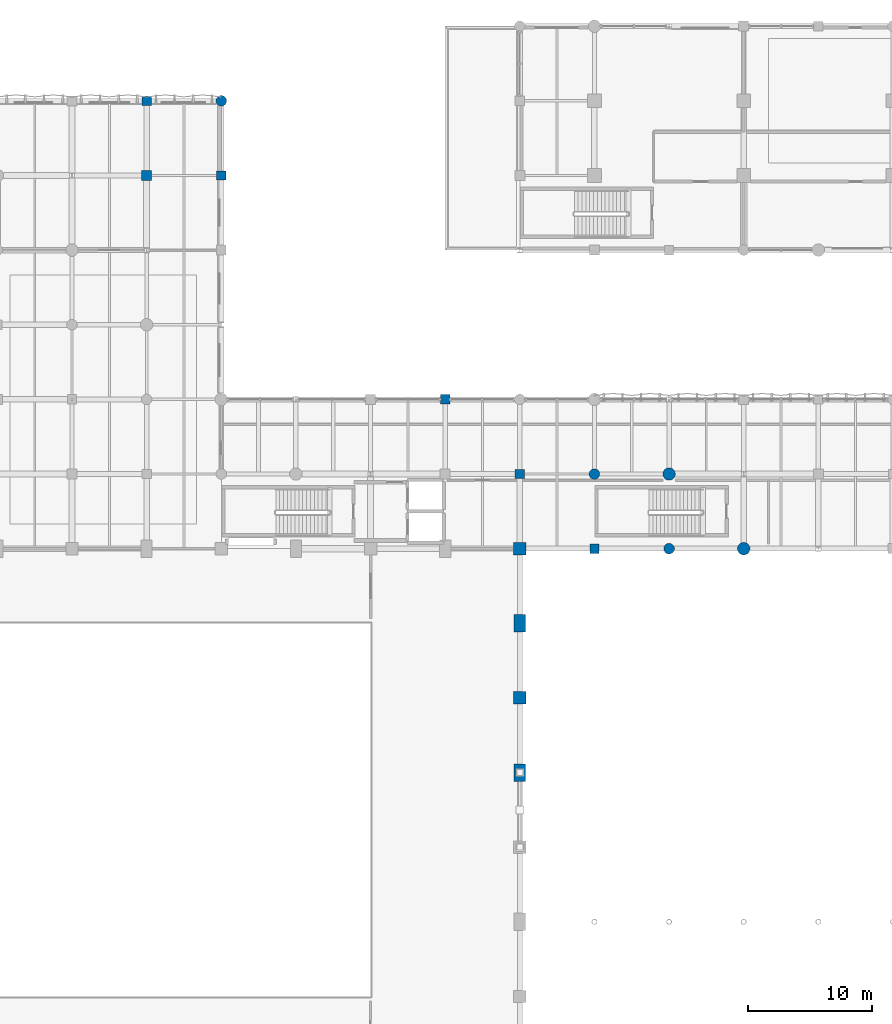
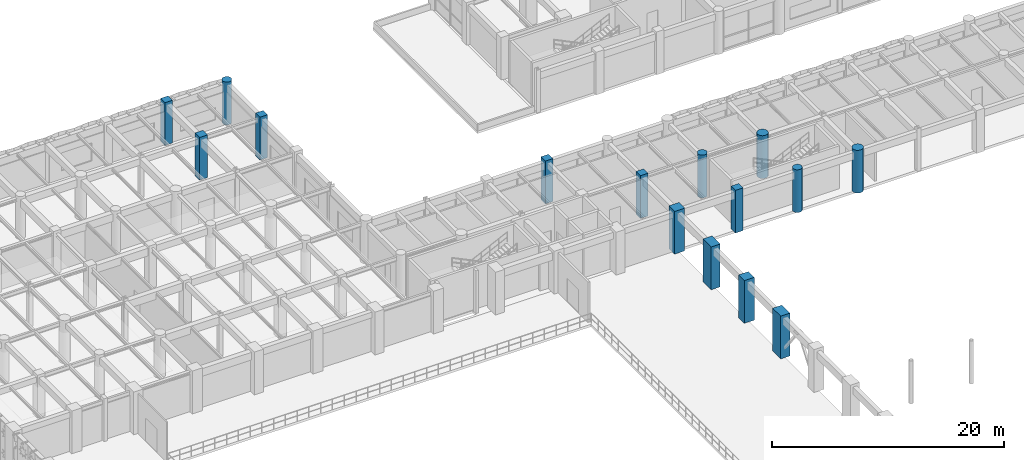
# One storey, part 10 of 133: 15 columns.
"""IFC4 building model written with IfcOpenShell, lengths in metres."""

from ifc_helpers import new_model, si_unit, direction, frame, origin, origin_2d, place, context, subcontext, project, spatial, rectangle, circle, extrude, material, material_profile, profile_set, type_object, element, save


model = new_model("IFC4")

# Units and contexts
model_context = context("Model", 3, precision=1e-05, world=origin(), true_north=direction((0.0, 1.0)))
body_context = subcontext(model_context, "Body", "Model", "MODEL_VIEW")
ifc_project = project(units=[si_unit("LENGTHUNIT", "METRE"), si_unit("AREAUNIT", "SQUARE_METRE"), si_unit("VOLUMEUNIT", "CUBIC_METRE"), si_unit("PLANEANGLEUNIT", "RADIAN"), si_unit("MASSUNIT", "GRAM", prefix="KILO"), si_unit("THERMODYNAMICTEMPERATUREUNIT", "KELVIN"), si_unit("POWERUNIT", "WATT")], contexts=[model_context])

# Site, building, storey
site_placement = place(None, origin())
site = spatial("IfcSite", under=ifc_project, at=site_placement, CompositionType="ELEMENT")
building_placement = place(site_placement, origin())
building = spatial("IfcBuilding", under=site, at=building_placement, Name="Phaisarnlok Congress Hotel", CompositionType="ELEMENT")
storey_placement = place(building_placement, frame((0.0, 0.0, 6.0)))
storey = spatial("IfcBuildingStorey", under=building, at=storey_placement, Name="L01", CompositionType="ELEMENT", Elevation=6.0)

# Columns
ifc_material = material(Name="Concrete C50/60", Category="concrete")
ifc_material_profile_1 = material_profile(ifc_material, rectangle(XDim=1.0, YDim=1.0, at=origin_2d()), Name="RC 1000x1000")
ifc_profile_set_1 = profile_set([ifc_material_profile_1], Name="Concrete C50/60")
column_type_1 = type_object("IfcColumnType", Name="COL-RC-1000", PredefinedType="COLUMN", material=ifc_profile_set_1)
for number, where, z_axis, x_axis, name in (
    (1, (66.0, 72.0, 0.0), (0.0, 0.0, 1.0), (1.0, 0.0, 0.0), "Column C-09 (L01)"),
    (2, (66.0, 84.0, 0.0), (0.0, 0.0, 1.0), (1.0, 0.0, 0.0), "Column C-09 (L01)"),
):
    element("IfcColumn", number, at=place(storey_placement, frame(where, z_axis=z_axis, x_axis=x_axis)), inside=storey, type_object=column_type_1, Name=name, PredefinedType="COLUMN", context=body_context, shape_type="SweptSolid", body=[
        extrude(rectangle(XDim=1.0, YDim=1.0, at=origin_2d()), origin(), (0.0, 0.0, 1.0), 4.5),
    ])
ifc_material_profile_2 = material_profile(ifc_material, rectangle(XDim=0.75, YDim=0.75, at=origin_2d()), Name="RC 750x750")
ifc_profile_set_2 = profile_set([ifc_material_profile_2], Name="Concrete C50/60")
column_type_2 = type_object("IfcColumnType", Name="COL-RC-750", PredefinedType="COLUMN", material=ifc_profile_set_2)
for number, where, z_axis, x_axis, name in (
    (3, (36.0, 120.0, 0.0), (0.0, 0.0, 1.0), (1.0, 0.0, 0.0), "Column C-06 (L01)"),
    (4, (42.0, 114.0, 0.0), (0.0, 0.0, 1.0), (1.0, 0.0, 0.0), "Column C-06 (L01)"),
    (5, (60.0, 96.0, 0.0), (0.0, 0.0, 1.0), (1.0, 0.0, 0.0), "Column C-06 (L01)"),
    (6, (66.0, 90.0, 0.0), (0.0, 0.0, 1.0), (1.0, 0.0, 0.0), "Column C-06 (L01)"),
    (7, (72.0, 84.0, 0.0), (0.0, 0.0, 1.0), (1.0, 0.0, 0.0), "Column C-06 (L01)"),
):
    element("IfcColumn", number, at=place(storey_placement, frame(where, z_axis=z_axis, x_axis=x_axis)), inside=storey, type_object=column_type_2, Name=name, PredefinedType="COLUMN", context=body_context, shape_type="SweptSolid", body=[
        extrude(rectangle(XDim=0.75, YDim=0.75, at=origin_2d()), origin(), (0.0, 0.0, 1.0), 4.5),
    ])
ifc_material_profile_3 = material_profile(ifc_material, rectangle(XDim=0.800048828125, YDim=0.800048828125, at=origin_2d()), Name="RC 800x800")
ifc_profile_set_3 = profile_set([ifc_material_profile_3], Name="Concrete C50/60")
column_type_3 = type_object("IfcColumnType", Name="COL-RC-800", PredefinedType="COLUMN", material=ifc_profile_set_3)
column_placement = place(storey_placement, frame((36.0, 114.0, 0.0), z_axis=(0.0, 0.0, 1.0), x_axis=(1.0, 0.0, 0.0)))
element("IfcColumn", 8, at=column_placement, inside=storey, type_object=column_type_3, Name="Column C-07 (L01)", PredefinedType="COLUMN", context=body_context, shape_type="SweptSolid", body=[
    extrude(rectangle(XDim=0.800048828125, YDim=0.800048828125, at=origin_2d()), origin(), (0.0, 0.0, 1.0), 4.5),
])
ifc_material_profile_4 = material_profile(ifc_material, rectangle(XDim=0.89990234375, YDim=1.39990234375, at=origin_2d()), Name="RC 900x1400")
ifc_profile_set_4 = profile_set([ifc_material_profile_4], Name="Concrete C50/60")
column_type_4 = type_object("IfcColumnType", Name="COL-RC-900x1400", PredefinedType="COLUMN", material=ifc_profile_set_4)
for number, where, z_axis, x_axis, name in (
    (9, (66.0, 66.0, 0.0), (0.0, 0.0, 1.0), (1.0, 0.0, 0.0), "Column C-12 (L01)"),
    (10, (66.0, 78.0, 0.0), (0.0, 0.0, 1.0), (1.0, 0.0, 0.0), "Column C-12 (L01)"),
):
    element("IfcColumn", number, at=place(storey_placement, frame(where, z_axis=z_axis, x_axis=x_axis)), inside=storey, type_object=column_type_4, Name=name, PredefinedType="COLUMN", context=body_context, shape_type="SweptSolid", body=[
        extrude(rectangle(XDim=0.89990234375, YDim=1.39990234375, at=origin_2d()), origin(), (0.0, 0.0, 1.0), 4.5),
    ])
ifc_material_profile_5 = material_profile(ifc_material, circle(Radius=0.5, at=origin_2d()), Name="RCC D1000")
ifc_profile_set_5 = profile_set([ifc_material_profile_5], Name="Concrete C50/60")
column_type_5 = type_object("IfcColumnType", Name="COL-RCC-1000", PredefinedType="COLUMN", material=ifc_profile_set_5)
for number, where, z_axis, x_axis, name in (
    (11, (78.0, 90.0, 0.0), (0.0, 0.0, 1.0), (1.0, 0.0, 0.0), "Column C-15 (L01)"),
    (12, (84.0, 84.0, 0.0), (0.0, 0.0, 1.0), (1.0, 0.0, 0.0), "Column C-15 (L01)"),
):
    element("IfcColumn", number, at=place(storey_placement, frame(where, z_axis=z_axis, x_axis=x_axis)), inside=storey, type_object=column_type_5, Name=name, PredefinedType="COLUMN", context=body_context, shape_type="SweptSolid", body=[
        extrude(circle(Radius=0.5, at=origin_2d()), origin(), (0.0, 0.0, 1.0), 4.5),
    ])
ifc_material_profile_6 = material_profile(ifc_material, circle(Radius=0.425048828125, at=origin_2d()), Name="RCC D850")
ifc_profile_set_6 = profile_set([ifc_material_profile_6], Name="Concrete C50/60")
column_type_6 = type_object("IfcColumnType", Name="COL-RCC-850", PredefinedType="COLUMN", material=ifc_profile_set_6)
for number, where, z_axis, x_axis, name in (
    (13, (42.0, 120.0, 0.0), (0.0, 0.0, 1.0), (1.0, 0.0, 0.0), "Column C-14 (L01)"),
    (14, (72.0, 90.0, 0.0), (0.0, 0.0, 1.0), (1.0, 0.0, 0.0), "Column C-14 (L01)"),
    (15, (78.0, 84.0, 0.0), (0.0, 0.0, 1.0), (1.0, 0.0, 0.0), "Column C-14 (L01)"),
):
    element("IfcColumn", number, at=place(storey_placement, frame(where, z_axis=z_axis, x_axis=x_axis)), inside=storey, type_object=column_type_6, Name=name, PredefinedType="COLUMN", context=body_context, shape_type="SweptSolid", body=[
        extrude(circle(Radius=0.425048828125, at=origin_2d()), origin(), (0.0, 0.0, 1.0), 4.5),
    ])

save(model, "model.ifc")
